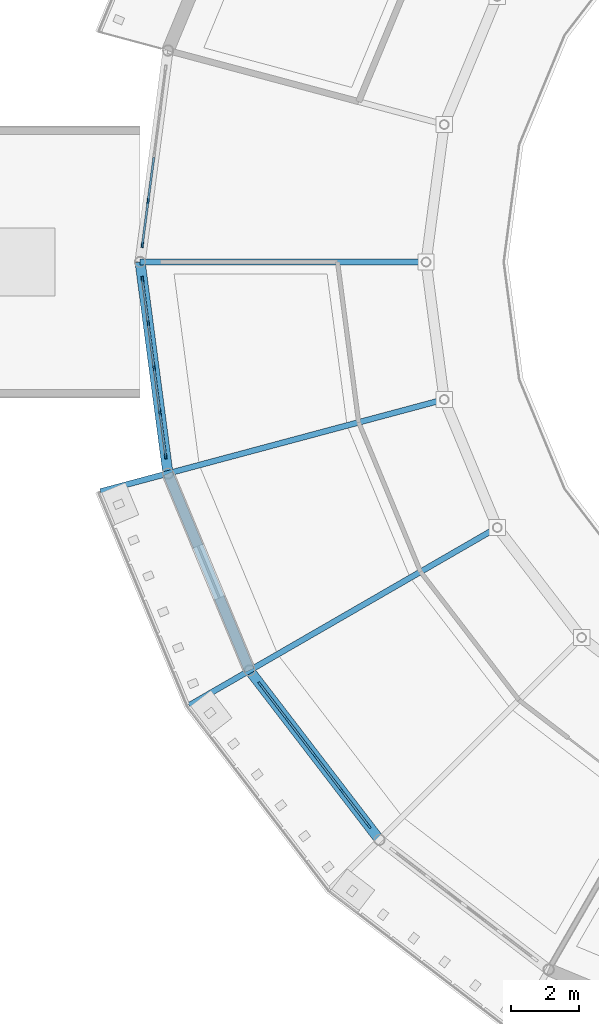
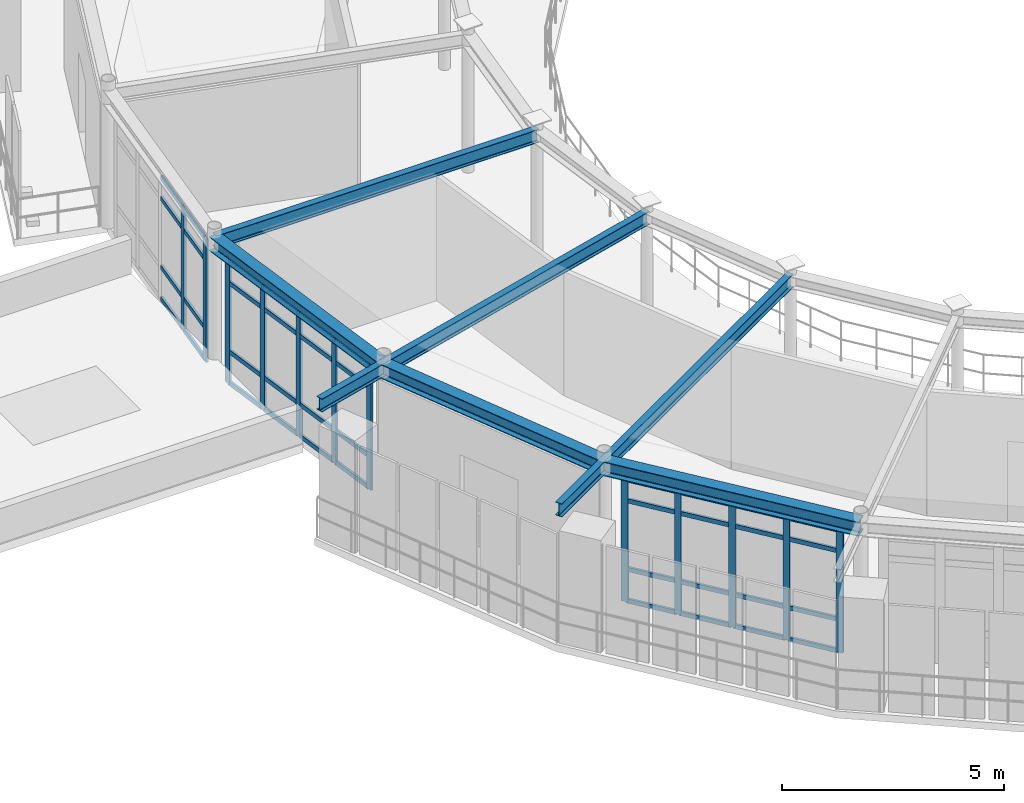
# One storey, part 20 of 70: 52 members, 6 beams, 3 elements without a shape of their own.
"""IFC4 building model written with IfcOpenShell, lengths in metres."""

from ifc_helpers import new_model, si_unit, derived_unit, direction, frame, origin, origin_2d, place, context, subcontext, project, spatial, rectangle, i_section, extrude, material, layer, layer_set, material_profile, profile_set, type_object, element, aggregate, save


model = new_model("IFC4")

# Units and contexts
model_context = context("Model", 3, precision=1e-05, world=origin(), true_north=direction((0.0, 1.0)))
body_context = subcontext(model_context, "Body", "Model", "MODEL_VIEW")
ifc_project = project(units=[si_unit("LENGTHUNIT", "METRE"), si_unit("AREAUNIT", "SQUARE_METRE"), si_unit("VOLUMEUNIT", "CUBIC_METRE"), si_unit("PLANEANGLEUNIT", "RADIAN"), si_unit("MASSUNIT", "GRAM", prefix="KILO"), derived_unit("THERMALTRANSMITTANCEUNIT", [(si_unit("POWERUNIT", "WATT"), 1), (si_unit("AREAUNIT", "SQUARE_METRE"), -1), (si_unit("THERMODYNAMICTEMPERATUREUNIT", "KELVIN"), -1)])], contexts=[model_context])

# Site, building, storey
site_placement = place(None, origin())
site = spatial("IfcSite", under=ifc_project, at=site_placement, CompositionType="ELEMENT")
building_placement = place(site_placement, origin())
building = spatial("IfcBuilding", under=site, at=building_placement, Name="Yasenodar Specialist Clinic", CompositionType="ELEMENT")
storey_placement = place(building_placement, frame((0.0, 0.0, 13.199951171875)))
storey = spatial("IfcBuildingStorey", under=building, at=storey_placement, Name="L03", CompositionType="ELEMENT", Elevation=13.199951171875)

# Beams
ifc_material_1 = material(Name="Steel S355", Category="steel")
ifc_material_profile_1 = material_profile(ifc_material_1, i_section(OverallWidth=0.300048828125, OverallDepth=0.389892578125, WebThickness=0.010986328125, FlangeThickness=0.01904296875, FilletRadius=0.027099609375, at=origin_2d()), Name="HEA 400")
ifc_profile_set_1 = profile_set([ifc_material_profile_1], Name="Steel S355")
beam_type_1 = type_object("IfcBeamType", Name="BM-HEA400", PredefinedType="BEAM", material=ifc_profile_set_1)
beam_1_placement = place(storey_placement, frame((57.0, 58.800048828125, 3.60498046875), z_axis=(0.130540192224, -0.991443018138, 0.0), x_axis=(0.991443018138, 0.130540192224, 0.0)))
element("IfcBeam", 1, at=beam_1_placement, inside=storey, type_object=beam_type_1, Name="L03 Drum V1 Perimeter Ring Beam", PredefinedType="BEAM", context=body_context, shape_type="SweptSolid", body=[
    extrude(i_section(OverallWidth=0.300048828125, OverallDepth=0.389892578125, WebThickness=0.010986328125, FlangeThickness=0.01904296875, FilletRadius=0.027099609375, at=origin_2d()), origin(), (0.0, 0.0, 1.0), 6.265380859375),
])
beam_2_placement = place(storey_placement, frame((57.81787109375, 52.58837890625, 3.60498046875), z_axis=(0.382663829839, -0.9238876519, 0.0), x_axis=(0.9238876519, 0.382663829839, 0.0)))
element("IfcBeam", 2, at=beam_2_placement, inside=storey, type_object=beam_type_1, Name="L03 Drum V1 Perimeter Ring Beam", PredefinedType="BEAM", context=body_context, shape_type="SweptSolid", body=[
    extrude(i_section(OverallWidth=0.300048828125, OverallDepth=0.389892578125, WebThickness=0.010986328125, FlangeThickness=0.01904296875, FilletRadius=0.027099609375, at=origin_2d()), origin(), (0.0, 0.0, 1.0), 6.26513671875),
])
beam_3_placement = place(storey_placement, frame((60.21533203125, 46.800048828125, 3.60498046875), z_axis=(0.608742360322, -0.793367971845, 0.0), x_axis=(0.793367971845, 0.608742360322, 0.0)))
element("IfcBeam", 3, at=beam_3_placement, inside=storey, type_object=beam_type_1, Name="L03 Drum V1 Perimeter Ring Beam", PredefinedType="BEAM", context=body_context, shape_type="SweptSolid", body=[
    extrude(i_section(OverallWidth=0.300048828125, OverallDepth=0.389892578125, WebThickness=0.010986328125, FlangeThickness=0.01904296875, FilletRadius=0.027099609375, at=origin_2d()), origin(), (0.0, 0.0, 1.0), 6.265380859375),
])
ifc_material_profile_2 = material_profile(ifc_material_1, i_section(OverallWidth=0.169921875, OverallDepth=0.360107421875, WebThickness=0.008056640625, FlangeThickness=0.0126953125, FilletRadius=0.01806640625, at=origin_2d()), Name="IPE 360")
ifc_profile_set_2 = profile_set([ifc_material_profile_2], Name="Steel S355")
beam_type_2 = type_object("IfcBeamType", Name="BM-IPE360", PredefinedType="BEAM", material=ifc_profile_set_2)
beam_4_placement = place(storey_placement, frame((65.39990234375, 58.800048828125, 3.6201171875), z_axis=(-1.0, 0.0, 0.0), x_axis=(0.0, -1.0, 0.0)))
element("IfcBeam", 4, at=beam_4_placement, inside=storey, type_object=beam_type_2, Name="L03 Drum V1 Radial Beam", PredefinedType="BEAM", context=body_context, shape_type="SweptSolid", body=[
    extrude(i_section(OverallWidth=0.169921875, OverallDepth=0.360107421875, WebThickness=0.008056640625, FlangeThickness=0.0126953125, FilletRadius=0.01806640625, at=origin_2d()), origin(), (0.0, 0.0, 1.0), 8.39990234375),
])
beam_5_placement = place(storey_placement, frame((65.931640625, 54.762451171875, 3.6201171875), z_axis=(-0.965927925162, -0.258811211874, 0.0), x_axis=(0.258811211874, -0.965927925162, 0.0)))
element("IfcBeam", 5, at=beam_5_placement, inside=storey, type_object=beam_type_2, Name="L03 Drum V1 Radial Back-Spanned Cantilever Beam", PredefinedType="BEAM", context=body_context, shape_type="SweptSolid", body=[
    extrude(i_section(OverallWidth=0.169921875, OverallDepth=0.360107421875, WebThickness=0.008056640625, FlangeThickness=0.0126953125, FilletRadius=0.01806640625, at=origin_2d()), origin(), (0.0, 0.0, 1.0), 10.449951171875),
])
beam_6_placement = place(storey_placement, frame((67.489990234375, 51.0, 3.6201171875), z_axis=(-0.86602335148, -0.500003554679, 0.0), x_axis=(0.500003554679, -0.86602335148, 0.0)))
element("IfcBeam", 6, at=beam_6_placement, inside=storey, type_object=beam_type_2, Name="L03 Drum V1 Radial Back-Spanned Cantilever Beam", PredefinedType="BEAM", context=body_context, shape_type="SweptSolid", body=[
    extrude(i_section(OverallWidth=0.169921875, OverallDepth=0.360107421875, WebThickness=0.008056640625, FlangeThickness=0.0126953125, FilletRadius=0.01806640625, at=origin_2d()), origin(), (0.0, 0.0, 1.0), 10.4501953125),
])

# Curtain wall, members
ifc_material_2 = material(Name="Bronze Anodized Aluminium and Triple Low-E Glass", Category="aluminium")
ifc_layer = layer(ifc_material_2, 0.1669921875)
ifc_layer_set = layer_set([ifc_layer], Name="Bronze Anodized Aluminium and Triple Low-E Glass")
curtain_wall_type = type_object("IfcCurtainWallType", Name="CW-SYS-01", PredefinedType="USERDEFINED", material=ifc_layer_set)
curtain_wall_1_placement = place(storey_placement, origin())
curtain_wall_1 = element("IfcCurtainWall", 7, at=curtain_wall_1_placement, inside=storey, type_object=curtain_wall_type, Name="L03 Unitised Curtain Wall 047", ObjectType="UNITISED CURTAIN WALL", PredefinedType="USERDEFINED")
ifc_material_3 = material(Name="Bronze Anodized Aluminium", Category="aluminium")
ifc_material_profile_3 = material_profile(ifc_material_3, rectangle(XDim=0.06005859375, YDim=0.159912109375, at=origin_2d()), Name="CW-MULL 60x160")
ifc_profile_set_3 = profile_set([ifc_material_profile_3], Name="Bronze Anodized Aluminium")
member_type_1 = type_object("IfcMemberType", Name="CW-MULL-160", PredefinedType="MULLION", material=ifc_profile_set_3)
member_1_placement = place(storey_placement, frame((57.066650390625, 59.3056640625, 0.0), z_axis=(0.0, 0.0, 1.0), x_axis=(-0.991446787601, 0.13051156024, 0.0)))
member_1 = element("IfcMember", 8, at=member_1_placement, type_object=member_type_1, Name="CW-01 mullion 1", PredefinedType="MULLION", context=body_context, shape_type="SweptSolid", body=[
    extrude(rectangle(XDim=0.06005859375, YDim=0.159912109375, at=origin_2d()), origin(), (0.0, 0.0, 1.0), 3.387939453125),
])
member_2_placement = place(storey_placement, frame((57.23583984375, 60.5908203125, 0.0), z_axis=(0.0, 0.0, 1.0), x_axis=(-0.991446787601, 0.13051156024, 0.0)))
member_2 = element("IfcMember", 9, at=member_2_placement, type_object=member_type_1, Name="CW-01 mullion 2", PredefinedType="MULLION", context=body_context, shape_type="SweptSolid", body=[
    extrude(rectangle(XDim=0.06005859375, YDim=0.159912109375, at=origin_2d()), origin(), (0.0, 0.0, 1.0), 3.387939453125),
])

curtain_wall_2_placement = place(storey_placement, origin())
curtain_wall_2 = element("IfcCurtainWall", 10, at=curtain_wall_2_placement, inside=storey, type_object=curtain_wall_type, Name="L03 Unitised Curtain Wall 048", ObjectType="UNITISED CURTAIN WALL", PredefinedType="USERDEFINED")
member_3_placement = place(storey_placement, frame((57.751220703125, 53.093994140625, 0.0), z_axis=(0.0, 0.0, 1.0), x_axis=(-0.991446787601, -0.13051156024, 0.0)))
member_3 = element("IfcMember", 11, at=member_3_placement, type_object=member_type_1, Name="CW-01 mullion 1", PredefinedType="MULLION", context=body_context, shape_type="SweptSolid", body=[
    extrude(rectangle(XDim=0.06005859375, YDim=0.159912109375, at=origin_2d()), origin(), (0.0, 0.0, 1.0), 3.387939453125),
])
member_4_placement = place(storey_placement, frame((57.58203125, 54.379150390625, 0.0), z_axis=(0.0, 0.0, 1.0), x_axis=(-0.991446787601, -0.13051156024, 0.0)))
member_4 = element("IfcMember", 12, at=member_4_placement, type_object=member_type_1, Name="CW-01 mullion 2", PredefinedType="MULLION", context=body_context, shape_type="SweptSolid", body=[
    extrude(rectangle(XDim=0.06005859375, YDim=0.159912109375, at=origin_2d()), origin(), (0.0, 0.0, 1.0), 3.387939453125),
])
member_5_placement = place(storey_placement, frame((57.408935546875, 55.694091796875, 0.0), z_axis=(0.0, 0.0, 1.0), x_axis=(-0.991446787601, -0.13051156024, 0.0)))
member_5 = element("IfcMember", 13, at=member_5_placement, type_object=member_type_1, Name="CW-01 mullion 3", PredefinedType="MULLION", context=body_context, shape_type="SweptSolid", body=[
    extrude(rectangle(XDim=0.06005859375, YDim=0.159912109375, at=origin_2d()), origin(), (0.0, 0.0, 1.0), 3.387939453125),
])
member_6_placement = place(storey_placement, frame((57.23583984375, 57.009033203125, 0.0), z_axis=(0.0, 0.0, 1.0), x_axis=(-0.991446787601, -0.13051156024, 0.0)))
member_6 = element("IfcMember", 14, at=member_6_placement, type_object=member_type_1, Name="CW-01 mullion 4", PredefinedType="MULLION", context=body_context, shape_type="SweptSolid", body=[
    extrude(rectangle(XDim=0.06005859375, YDim=0.159912109375, at=origin_2d()), origin(), (0.0, 0.0, 1.0), 3.387939453125),
])
member_7_placement = place(storey_placement, frame((57.066650390625, 58.29443359375, 0.0), z_axis=(0.0, 0.0, 1.0), x_axis=(-0.991446787601, -0.13051156024, 0.0)))
member_7 = element("IfcMember", 15, at=member_7_placement, type_object=member_type_1, Name="CW-01 mullion 5", PredefinedType="MULLION", context=body_context, shape_type="SweptSolid", body=[
    extrude(rectangle(XDim=0.06005859375, YDim=0.159912109375, at=origin_2d()), origin(), (0.0, 0.0, 1.0), 3.387939453125),
])

curtain_wall_3_placement = place(storey_placement, origin())
curtain_wall_3 = element("IfcCurtainWall", 16, at=curtain_wall_3_placement, inside=storey, type_object=curtain_wall_type, Name="L03 Unitised Curtain Wall 049", ObjectType="UNITISED CURTAIN WALL", PredefinedType="USERDEFINED")
member_8_placement = place(storey_placement, frame((63.718994140625, 42.23388671875, 0.0), z_axis=(0.0, 0.0, 1.0), x_axis=(-0.793360558574, -0.608752021844, 0.0)))
member_8 = element("IfcMember", 17, at=member_8_placement, type_object=member_type_1, Name="CW-01 mullion 1", PredefinedType="MULLION", context=body_context, shape_type="SweptSolid", body=[
    extrude(rectangle(XDim=0.06005859375, YDim=0.159912109375, at=origin_2d()), origin(), (0.0, 0.0, 1.0), 3.387939453125),
])
member_9_placement = place(storey_placement, frame((62.9296875, 43.262451171875, 0.0), z_axis=(0.0, 0.0, 1.0), x_axis=(-0.793360558574, -0.608752021844, 0.0)))
member_9 = element("IfcMember", 18, at=member_9_placement, type_object=member_type_1, Name="CW-01 mullion 2", PredefinedType="MULLION", context=body_context, shape_type="SweptSolid", body=[
    extrude(rectangle(XDim=0.06005859375, YDim=0.159912109375, at=origin_2d()), origin(), (0.0, 0.0, 1.0), 3.387939453125),
])
member_10_placement = place(storey_placement, frame((62.122314453125, 44.314697265625, 0.0), z_axis=(0.0, 0.0, 1.0), x_axis=(-0.793360558574, -0.608752021844, 0.0)))
member_10 = element("IfcMember", 19, at=member_10_placement, type_object=member_type_1, Name="CW-01 mullion 3", PredefinedType="MULLION", context=body_context, shape_type="SweptSolid", body=[
    extrude(rectangle(XDim=0.06005859375, YDim=0.159912109375, at=origin_2d()), origin(), (0.0, 0.0, 1.0), 3.387939453125),
])
member_11_placement = place(storey_placement, frame((61.31494140625, 45.366943359375, 0.0), z_axis=(0.0, 0.0, 1.0), x_axis=(-0.793360558574, -0.608752021844, 0.0)))
member_11 = element("IfcMember", 20, at=member_11_placement, type_object=member_type_1, Name="CW-01 mullion 4", PredefinedType="MULLION", context=body_context, shape_type="SweptSolid", body=[
    extrude(rectangle(XDim=0.06005859375, YDim=0.159912109375, at=origin_2d()), origin(), (0.0, 0.0, 1.0), 3.387939453125),
])
member_12_placement = place(storey_placement, frame((60.52587890625, 46.3955078125, 0.0), z_axis=(0.0, 0.0, 1.0), x_axis=(-0.793360558574, -0.608752021844, 0.0)))
member_12 = element("IfcMember", 21, at=member_12_placement, type_object=member_type_1, Name="CW-01 mullion 5", PredefinedType="MULLION", context=body_context, shape_type="SweptSolid", body=[
    extrude(rectangle(XDim=0.06005859375, YDim=0.159912109375, at=origin_2d()), origin(), (0.0, 0.0, 1.0), 3.387939453125),
])

# Member
ifc_material_profile_4 = material_profile(ifc_material_3, rectangle(XDim=0.06005859375, YDim=0.1201171875, at=origin_2d()), Name="CW-TRAN 60x120")
ifc_profile_set_4 = profile_set([ifc_material_profile_4], Name="Bronze Anodized Aluminium")
member_type_2 = type_object("IfcMemberType", Name="CW-TRAN-120", PredefinedType="USERDEFINED", material=ifc_profile_set_4)
member_13_placement = place(storey_placement, frame((57.070556640625, 59.33544921875, 0.030029296875), z_axis=(0.130546471803, 0.991442191305, 0.0), x_axis=(-0.991442191305, 0.130546471803, 0.0)))
member_13 = element("IfcMember", 22, at=member_13_placement, type_object=member_type_2, Name="CW-01 transom 1.1", ObjectType="TRANSOM", PredefinedType="USERDEFINED", context=body_context, shape_type="SweptSolid", body=[
    extrude(rectangle(XDim=0.06005859375, YDim=0.1201171875, at=origin_2d()), origin(), (0.0, 0.0, 1.0), 1.236083984375),
])

member_14_placement = place(storey_placement, frame((57.070556640625, 59.33544921875, 0.900146484375), z_axis=(0.130546471803, 0.991442191305, 0.0), x_axis=(-0.991442191305, 0.130546471803, 0.0)))
member_14 = element("IfcMember", 23, at=member_14_placement, type_object=member_type_2, Name="CW-01 transom 1.2", ObjectType="TRANSOM", PredefinedType="USERDEFINED", context=body_context, shape_type="SweptSolid", body=[
    extrude(rectangle(XDim=0.06005859375, YDim=0.1201171875, at=origin_2d()), origin(), (0.0, 0.0, 1.0), 1.236083984375),
])

member_15_placement = place(storey_placement, frame((57.070556640625, 59.33544921875, 2.7880859375), z_axis=(0.130546471803, 0.991442191305, 0.0), x_axis=(-0.991442191305, 0.130546471803, 0.0)))
member_15 = element("IfcMember", 24, at=member_15_placement, type_object=member_type_2, Name="CW-01 transom 1.3", ObjectType="TRANSOM", PredefinedType="USERDEFINED", context=body_context, shape_type="SweptSolid", body=[
    extrude(rectangle(XDim=0.06005859375, YDim=0.1201171875, at=origin_2d()), origin(), (0.0, 0.0, 1.0), 1.236083984375),
])

member_16_placement = place(storey_placement, frame((57.070556640625, 59.33544921875, 3.358154296875), z_axis=(0.130546471803, 0.991442191305, 0.0), x_axis=(-0.991442191305, 0.130546471803, 0.0)))
member_16 = element("IfcMember", 25, at=member_16_placement, type_object=member_type_2, Name="CW-01 transom 1.4", ObjectType="TRANSOM", PredefinedType="USERDEFINED", context=body_context, shape_type="SweptSolid", body=[
    extrude(rectangle(XDim=0.06005859375, YDim=0.1201171875, at=origin_2d()), origin(), (0.0, 0.0, 1.0), 1.236083984375),
])

member_17_placement = place(storey_placement, frame((57.23974609375, 60.62060546875, 0.030029296875), z_axis=(0.13050936627, 0.991447076407, 0.0), x_axis=(-0.991447076407, 0.13050936627, 0.0)))
member_17 = element("IfcMember", 26, at=member_17_placement, type_object=member_type_2, Name="CW-01 transom 2.1", ObjectType="TRANSOM", PredefinedType="USERDEFINED", context=body_context, shape_type="SweptSolid", body=[
    extrude(rectangle(XDim=0.06005859375, YDim=0.1201171875, at=origin_2d()), origin(), (0.0, 0.0, 1.0), 1.266357421875),
])

member_18_placement = place(storey_placement, frame((57.23974609375, 60.62060546875, 0.900146484375), z_axis=(0.13050936627, 0.991447076407, 0.0), x_axis=(-0.991447076407, 0.13050936627, 0.0)))
member_18 = element("IfcMember", 27, at=member_18_placement, type_object=member_type_2, Name="CW-01 transom 2.2", ObjectType="TRANSOM", PredefinedType="USERDEFINED", context=body_context, shape_type="SweptSolid", body=[
    extrude(rectangle(XDim=0.06005859375, YDim=0.1201171875, at=origin_2d()), origin(), (0.0, 0.0, 1.0), 1.266357421875),
])

member_19_placement = place(storey_placement, frame((57.23974609375, 60.62060546875, 2.7880859375), z_axis=(0.13050936627, 0.991447076407, 0.0), x_axis=(-0.991447076407, 0.13050936627, 0.0)))
member_19 = element("IfcMember", 28, at=member_19_placement, type_object=member_type_2, Name="CW-01 transom 2.3", ObjectType="TRANSOM", PredefinedType="USERDEFINED", context=body_context, shape_type="SweptSolid", body=[
    extrude(rectangle(XDim=0.06005859375, YDim=0.1201171875, at=origin_2d()), origin(), (0.0, 0.0, 1.0), 1.266357421875),
])

member_20_placement = place(storey_placement, frame((57.23974609375, 60.62060546875, 3.358154296875), z_axis=(0.13050936627, 0.991447076407, 0.0), x_axis=(-0.991447076407, 0.13050936627, 0.0)))
member_20 = element("IfcMember", 29, at=member_20_placement, type_object=member_type_2, Name="CW-01 transom 2.4", ObjectType="TRANSOM", PredefinedType="USERDEFINED", context=body_context, shape_type="SweptSolid", body=[
    extrude(rectangle(XDim=0.06005859375, YDim=0.1201171875, at=origin_2d()), origin(), (0.0, 0.0, 1.0), 1.266357421875),
])

aggregate(curtain_wall_1, [member_1, member_2, member_13, member_14, member_15, member_16, member_17, member_18, member_19, member_20])

member_21_placement = place(storey_placement, frame((57.747314453125, 53.123779296875, 0.030029296875), z_axis=(-0.130546471803, 0.991442191305, 0.0), x_axis=(-0.991442191305, -0.130546471803, 0.0)))
member_21 = element("IfcMember", 30, at=member_21_placement, type_object=member_type_2, Name="CW-01 transom 1.1", ObjectType="TRANSOM", PredefinedType="USERDEFINED", context=body_context, shape_type="SweptSolid", body=[
    extrude(rectangle(XDim=0.06005859375, YDim=0.1201171875, at=origin_2d()), origin(), (0.0, 0.0, 1.0), 1.236083984375),
])

member_22_placement = place(storey_placement, frame((57.747314453125, 53.123779296875, 0.900146484375), z_axis=(-0.130546471803, 0.991442191305, 0.0), x_axis=(-0.991442191305, -0.130546471803, 0.0)))
member_22 = element("IfcMember", 31, at=member_22_placement, type_object=member_type_2, Name="CW-01 transom 1.2", ObjectType="TRANSOM", PredefinedType="USERDEFINED", context=body_context, shape_type="SweptSolid", body=[
    extrude(rectangle(XDim=0.06005859375, YDim=0.1201171875, at=origin_2d()), origin(), (0.0, 0.0, 1.0), 1.236083984375),
])

member_23_placement = place(storey_placement, frame((57.747314453125, 53.123779296875, 2.7880859375), z_axis=(-0.130546471803, 0.991442191305, 0.0), x_axis=(-0.991442191305, -0.130546471803, 0.0)))
member_23 = element("IfcMember", 32, at=member_23_placement, type_object=member_type_2, Name="CW-01 transom 1.3", ObjectType="TRANSOM", PredefinedType="USERDEFINED", context=body_context, shape_type="SweptSolid", body=[
    extrude(rectangle(XDim=0.06005859375, YDim=0.1201171875, at=origin_2d()), origin(), (0.0, 0.0, 1.0), 1.236083984375),
])

member_24_placement = place(storey_placement, frame((57.747314453125, 53.123779296875, 3.358154296875), z_axis=(-0.130546471803, 0.991442191305, 0.0), x_axis=(-0.991442191305, -0.130546471803, 0.0)))
member_24 = element("IfcMember", 33, at=member_24_placement, type_object=member_type_2, Name="CW-01 transom 1.4", ObjectType="TRANSOM", PredefinedType="USERDEFINED", context=body_context, shape_type="SweptSolid", body=[
    extrude(rectangle(XDim=0.06005859375, YDim=0.1201171875, at=origin_2d()), origin(), (0.0, 0.0, 1.0), 1.236083984375),
])

member_25_placement = place(storey_placement, frame((57.578125, 54.408935546875, 0.030029296875), z_axis=(-0.13053431489, 0.99144379197, 0.0), x_axis=(-0.99144379197, -0.13053431489, 0.0)))
member_25 = element("IfcMember", 34, at=member_25_placement, type_object=member_type_2, Name="CW-01 transom 2.1", ObjectType="TRANSOM", PredefinedType="USERDEFINED", context=body_context, shape_type="SweptSolid", body=[
    extrude(rectangle(XDim=0.06005859375, YDim=0.1201171875, at=origin_2d()), origin(), (0.0, 0.0, 1.0), 1.26611328125),
])

member_26_placement = place(storey_placement, frame((57.578125, 54.408935546875, 0.900146484375), z_axis=(-0.13053431489, 0.99144379197, 0.0), x_axis=(-0.99144379197, -0.13053431489, 0.0)))
member_26 = element("IfcMember", 35, at=member_26_placement, type_object=member_type_2, Name="CW-01 transom 2.2", ObjectType="TRANSOM", PredefinedType="USERDEFINED", context=body_context, shape_type="SweptSolid", body=[
    extrude(rectangle(XDim=0.06005859375, YDim=0.1201171875, at=origin_2d()), origin(), (0.0, 0.0, 1.0), 1.26611328125),
])

member_27_placement = place(storey_placement, frame((57.578125, 54.408935546875, 2.7880859375), z_axis=(-0.13053431489, 0.99144379197, 0.0), x_axis=(-0.99144379197, -0.13053431489, 0.0)))
member_27 = element("IfcMember", 36, at=member_27_placement, type_object=member_type_2, Name="CW-01 transom 2.3", ObjectType="TRANSOM", PredefinedType="USERDEFINED", context=body_context, shape_type="SweptSolid", body=[
    extrude(rectangle(XDim=0.06005859375, YDim=0.1201171875, at=origin_2d()), origin(), (0.0, 0.0, 1.0), 1.26611328125),
])

member_28_placement = place(storey_placement, frame((57.578125, 54.408935546875, 3.358154296875), z_axis=(-0.13053431489, 0.99144379197, 0.0), x_axis=(-0.99144379197, -0.13053431489, 0.0)))
member_28 = element("IfcMember", 37, at=member_28_placement, type_object=member_type_2, Name="CW-01 transom 2.4", ObjectType="TRANSOM", PredefinedType="USERDEFINED", context=body_context, shape_type="SweptSolid", body=[
    extrude(rectangle(XDim=0.06005859375, YDim=0.1201171875, at=origin_2d()), origin(), (0.0, 0.0, 1.0), 1.26611328125),
])

member_29_placement = place(storey_placement, frame((57.405029296875, 55.723876953125, 0.030029296875), z_axis=(-0.13050936627, 0.991447076407, 0.0), x_axis=(-0.991447076407, -0.13050936627, 0.0)))
member_29 = element("IfcMember", 38, at=member_29_placement, type_object=member_type_2, Name="CW-01 transom 3.1", ObjectType="TRANSOM", PredefinedType="USERDEFINED", context=body_context, shape_type="SweptSolid", body=[
    extrude(rectangle(XDim=0.06005859375, YDim=0.1201171875, at=origin_2d()), origin(), (0.0, 0.0, 1.0), 1.266357421875),
])

member_30_placement = place(storey_placement, frame((57.405029296875, 55.723876953125, 0.900146484375), z_axis=(-0.13050936627, 0.991447076407, 0.0), x_axis=(-0.991447076407, -0.13050936627, 0.0)))
member_30 = element("IfcMember", 39, at=member_30_placement, type_object=member_type_2, Name="CW-01 transom 3.2", ObjectType="TRANSOM", PredefinedType="USERDEFINED", context=body_context, shape_type="SweptSolid", body=[
    extrude(rectangle(XDim=0.06005859375, YDim=0.1201171875, at=origin_2d()), origin(), (0.0, 0.0, 1.0), 1.266357421875),
])

member_31_placement = place(storey_placement, frame((57.405029296875, 55.723876953125, 2.7880859375), z_axis=(-0.13050936627, 0.991447076407, 0.0), x_axis=(-0.991447076407, -0.13050936627, 0.0)))
member_31 = element("IfcMember", 40, at=member_31_placement, type_object=member_type_2, Name="CW-01 transom 3.3", ObjectType="TRANSOM", PredefinedType="USERDEFINED", context=body_context, shape_type="SweptSolid", body=[
    extrude(rectangle(XDim=0.06005859375, YDim=0.1201171875, at=origin_2d()), origin(), (0.0, 0.0, 1.0), 1.266357421875),
])

member_32_placement = place(storey_placement, frame((57.405029296875, 55.723876953125, 3.358154296875), z_axis=(-0.13050936627, 0.991447076407, 0.0), x_axis=(-0.991447076407, -0.13050936627, 0.0)))
member_32 = element("IfcMember", 41, at=member_32_placement, type_object=member_type_2, Name="CW-01 transom 3.4", ObjectType="TRANSOM", PredefinedType="USERDEFINED", context=body_context, shape_type="SweptSolid", body=[
    extrude(rectangle(XDim=0.06005859375, YDim=0.1201171875, at=origin_2d()), origin(), (0.0, 0.0, 1.0), 1.266357421875),
])

member_33_placement = place(storey_placement, frame((57.23193359375, 57.038818359375, 0.030029296875), z_axis=(-0.130520914683, 0.99144555616, 0.0), x_axis=(-0.99144555616, -0.130520914683, 0.0)))
member_33 = element("IfcMember", 42, at=member_33_placement, type_object=member_type_2, Name="CW-01 transom 4.1", ObjectType="TRANSOM", PredefinedType="USERDEFINED", context=body_context, shape_type="SweptSolid", body=[
    extrude(rectangle(XDim=0.06005859375, YDim=0.1201171875, at=origin_2d()), origin(), (0.0, 0.0, 1.0), 1.236328125),
])

member_34_placement = place(storey_placement, frame((57.23193359375, 57.038818359375, 0.900146484375), z_axis=(-0.130520914683, 0.99144555616, 0.0), x_axis=(-0.99144555616, -0.130520914683, 0.0)))
member_34 = element("IfcMember", 43, at=member_34_placement, type_object=member_type_2, Name="CW-01 transom 4.2", ObjectType="TRANSOM", PredefinedType="USERDEFINED", context=body_context, shape_type="SweptSolid", body=[
    extrude(rectangle(XDim=0.06005859375, YDim=0.1201171875, at=origin_2d()), origin(), (0.0, 0.0, 1.0), 1.236328125),
])

member_35_placement = place(storey_placement, frame((57.23193359375, 57.038818359375, 2.7880859375), z_axis=(-0.130520914683, 0.99144555616, 0.0), x_axis=(-0.99144555616, -0.130520914683, 0.0)))
member_35 = element("IfcMember", 44, at=member_35_placement, type_object=member_type_2, Name="CW-01 transom 4.3", ObjectType="TRANSOM", PredefinedType="USERDEFINED", context=body_context, shape_type="SweptSolid", body=[
    extrude(rectangle(XDim=0.06005859375, YDim=0.1201171875, at=origin_2d()), origin(), (0.0, 0.0, 1.0), 1.236328125),
])

member_36_placement = place(storey_placement, frame((57.23193359375, 57.038818359375, 3.358154296875), z_axis=(-0.130520914683, 0.99144555616, 0.0), x_axis=(-0.99144555616, -0.130520914683, 0.0)))
member_36 = element("IfcMember", 45, at=member_36_placement, type_object=member_type_2, Name="CW-01 transom 4.4", ObjectType="TRANSOM", PredefinedType="USERDEFINED", context=body_context, shape_type="SweptSolid", body=[
    extrude(rectangle(XDim=0.06005859375, YDim=0.1201171875, at=origin_2d()), origin(), (0.0, 0.0, 1.0), 1.236328125),
])

aggregate(curtain_wall_2, [member_3, member_4, member_5, member_6, member_7, member_21, member_22, member_23, member_24, member_25, member_26, member_27, member_28, member_29, member_30, member_31, member_32, member_33, member_34, member_35, member_36])

member_37_placement = place(storey_placement, frame((63.70068359375, 42.2578125, 0.030029296875), z_axis=(-0.608746535642, 0.793364768151, 0.0), x_axis=(-0.793364768151, -0.608746535642, 0.0)))
member_37 = element("IfcMember", 46, at=member_37_placement, type_object=member_type_2, Name="CW-01 transom 1.1", ObjectType="TRANSOM", PredefinedType="USERDEFINED", context=body_context, shape_type="SweptSolid", body=[
    extrude(rectangle(XDim=0.06005859375, YDim=0.1201171875, at=origin_2d()), origin(), (0.0, 0.0, 1.0), 1.236572265625),
])

member_38_placement = place(storey_placement, frame((63.70068359375, 42.2578125, 0.900146484375), z_axis=(-0.608746535642, 0.793364768151, 0.0), x_axis=(-0.793364768151, -0.608746535642, 0.0)))
member_38 = element("IfcMember", 47, at=member_38_placement, type_object=member_type_2, Name="CW-01 transom 1.2", ObjectType="TRANSOM", PredefinedType="USERDEFINED", context=body_context, shape_type="SweptSolid", body=[
    extrude(rectangle(XDim=0.06005859375, YDim=0.1201171875, at=origin_2d()), origin(), (0.0, 0.0, 1.0), 1.236572265625),
])

member_39_placement = place(storey_placement, frame((63.70068359375, 42.2578125, 2.7880859375), z_axis=(-0.608746535642, 0.793364768151, 0.0), x_axis=(-0.793364768151, -0.608746535642, 0.0)))
member_39 = element("IfcMember", 48, at=member_39_placement, type_object=member_type_2, Name="CW-01 transom 1.3", ObjectType="TRANSOM", PredefinedType="USERDEFINED", context=body_context, shape_type="SweptSolid", body=[
    extrude(rectangle(XDim=0.06005859375, YDim=0.1201171875, at=origin_2d()), origin(), (0.0, 0.0, 1.0), 1.236572265625),
])

member_40_placement = place(storey_placement, frame((63.70068359375, 42.2578125, 3.358154296875), z_axis=(-0.608746535642, 0.793364768151, 0.0), x_axis=(-0.793364768151, -0.608746535642, 0.0)))
member_40 = element("IfcMember", 49, at=member_40_placement, type_object=member_type_2, Name="CW-01 transom 1.4", ObjectType="TRANSOM", PredefinedType="USERDEFINED", context=body_context, shape_type="SweptSolid", body=[
    extrude(rectangle(XDim=0.06005859375, YDim=0.1201171875, at=origin_2d()), origin(), (0.0, 0.0, 1.0), 1.236572265625),
])

member_41_placement = place(storey_placement, frame((62.91162109375, 43.2861328125, 0.030029296875), z_axis=(-0.608722862036, 0.793382932281, 0.0), x_axis=(-0.793382932281, -0.608722862036, 0.0)))
member_41 = element("IfcMember", 50, at=member_41_placement, type_object=member_type_2, Name="CW-01 transom 2.1", ObjectType="TRANSOM", PredefinedType="USERDEFINED", context=body_context, shape_type="SweptSolid", body=[
    extrude(rectangle(XDim=0.06005859375, YDim=0.1201171875, at=origin_2d()), origin(), (0.0, 0.0, 1.0), 1.2666015625),
])

member_42_placement = place(storey_placement, frame((62.91162109375, 43.2861328125, 0.900146484375), z_axis=(-0.608722862036, 0.793382932281, 0.0), x_axis=(-0.793382932281, -0.608722862036, 0.0)))
member_42 = element("IfcMember", 51, at=member_42_placement, type_object=member_type_2, Name="CW-01 transom 2.2", ObjectType="TRANSOM", PredefinedType="USERDEFINED", context=body_context, shape_type="SweptSolid", body=[
    extrude(rectangle(XDim=0.06005859375, YDim=0.1201171875, at=origin_2d()), origin(), (0.0, 0.0, 1.0), 1.2666015625),
])

member_43_placement = place(storey_placement, frame((62.91162109375, 43.2861328125, 2.7880859375), z_axis=(-0.608722862036, 0.793382932281, 0.0), x_axis=(-0.793382932281, -0.608722862036, 0.0)))
member_43 = element("IfcMember", 52, at=member_43_placement, type_object=member_type_2, Name="CW-01 transom 2.3", ObjectType="TRANSOM", PredefinedType="USERDEFINED", context=body_context, shape_type="SweptSolid", body=[
    extrude(rectangle(XDim=0.06005859375, YDim=0.1201171875, at=origin_2d()), origin(), (0.0, 0.0, 1.0), 1.2666015625),
])

member_44_placement = place(storey_placement, frame((62.91162109375, 43.2861328125, 3.358154296875), z_axis=(-0.608722862036, 0.793382932281, 0.0), x_axis=(-0.793382932281, -0.608722862036, 0.0)))
member_44 = element("IfcMember", 53, at=member_44_placement, type_object=member_type_2, Name="CW-01 transom 2.4", ObjectType="TRANSOM", PredefinedType="USERDEFINED", context=body_context, shape_type="SweptSolid", body=[
    extrude(rectangle(XDim=0.06005859375, YDim=0.1201171875, at=origin_2d()), origin(), (0.0, 0.0, 1.0), 1.2666015625),
])

member_45_placement = place(storey_placement, frame((62.104248046875, 44.33837890625, 0.030029296875), z_axis=(-0.608722862036, 0.793382932281, 0.0), x_axis=(-0.793382932281, -0.608722862036, 0.0)))
member_45 = element("IfcMember", 54, at=member_45_placement, type_object=member_type_2, Name="CW-01 transom 3.1", ObjectType="TRANSOM", PredefinedType="USERDEFINED", context=body_context, shape_type="SweptSolid", body=[
    extrude(rectangle(XDim=0.06005859375, YDim=0.1201171875, at=origin_2d()), origin(), (0.0, 0.0, 1.0), 1.2666015625),
])

member_46_placement = place(storey_placement, frame((62.104248046875, 44.33837890625, 0.900146484375), z_axis=(-0.608722862036, 0.793382932281, 0.0), x_axis=(-0.793382932281, -0.608722862036, 0.0)))
member_46 = element("IfcMember", 55, at=member_46_placement, type_object=member_type_2, Name="CW-01 transom 3.2", ObjectType="TRANSOM", PredefinedType="USERDEFINED", context=body_context, shape_type="SweptSolid", body=[
    extrude(rectangle(XDim=0.06005859375, YDim=0.1201171875, at=origin_2d()), origin(), (0.0, 0.0, 1.0), 1.2666015625),
])

member_47_placement = place(storey_placement, frame((62.104248046875, 44.33837890625, 2.7880859375), z_axis=(-0.608722862036, 0.793382932281, 0.0), x_axis=(-0.793382932281, -0.608722862036, 0.0)))
member_47 = element("IfcMember", 56, at=member_47_placement, type_object=member_type_2, Name="CW-01 transom 3.3", ObjectType="TRANSOM", PredefinedType="USERDEFINED", context=body_context, shape_type="SweptSolid", body=[
    extrude(rectangle(XDim=0.06005859375, YDim=0.1201171875, at=origin_2d()), origin(), (0.0, 0.0, 1.0), 1.2666015625),
])

member_48_placement = place(storey_placement, frame((62.104248046875, 44.33837890625, 3.358154296875), z_axis=(-0.608722862036, 0.793382932281, 0.0), x_axis=(-0.793382932281, -0.608722862036, 0.0)))
member_48 = element("IfcMember", 57, at=member_48_placement, type_object=member_type_2, Name="CW-01 transom 3.4", ObjectType="TRANSOM", PredefinedType="USERDEFINED", context=body_context, shape_type="SweptSolid", body=[
    extrude(rectangle(XDim=0.06005859375, YDim=0.1201171875, at=origin_2d()), origin(), (0.0, 0.0, 1.0), 1.2666015625),
])

member_49_placement = place(storey_placement, frame((61.296630859375, 45.390869140625, 0.030029296875), z_axis=(-0.608717606417, 0.793386964626, 0.0), x_axis=(-0.793386964626, -0.608717606417, 0.0)))
member_49 = element("IfcMember", 58, at=member_49_placement, type_object=member_type_2, Name="CW-01 transom 4.1", ObjectType="TRANSOM", PredefinedType="USERDEFINED", context=body_context, shape_type="SweptSolid", body=[
    extrude(rectangle(XDim=0.06005859375, YDim=0.1201171875, at=origin_2d()), origin(), (0.0, 0.0, 1.0), 1.236083984375),
])

member_50_placement = place(storey_placement, frame((61.296630859375, 45.390869140625, 0.900146484375), z_axis=(-0.608717606417, 0.793386964626, 0.0), x_axis=(-0.793386964626, -0.608717606417, 0.0)))
member_50 = element("IfcMember", 59, at=member_50_placement, type_object=member_type_2, Name="CW-01 transom 4.2", ObjectType="TRANSOM", PredefinedType="USERDEFINED", context=body_context, shape_type="SweptSolid", body=[
    extrude(rectangle(XDim=0.06005859375, YDim=0.1201171875, at=origin_2d()), origin(), (0.0, 0.0, 1.0), 1.236083984375),
])

member_51_placement = place(storey_placement, frame((61.296630859375, 45.390869140625, 2.7880859375), z_axis=(-0.608717606417, 0.793386964626, 0.0), x_axis=(-0.793386964626, -0.608717606417, 0.0)))
member_51 = element("IfcMember", 60, at=member_51_placement, type_object=member_type_2, Name="CW-01 transom 4.3", ObjectType="TRANSOM", PredefinedType="USERDEFINED", context=body_context, shape_type="SweptSolid", body=[
    extrude(rectangle(XDim=0.06005859375, YDim=0.1201171875, at=origin_2d()), origin(), (0.0, 0.0, 1.0), 1.236083984375),
])

member_52_placement = place(storey_placement, frame((61.296630859375, 45.390869140625, 3.358154296875), z_axis=(-0.608717606417, 0.793386964626, 0.0), x_axis=(-0.793386964626, -0.608717606417, 0.0)))
member_52 = element("IfcMember", 61, at=member_52_placement, type_object=member_type_2, Name="CW-01 transom 4.4", ObjectType="TRANSOM", PredefinedType="USERDEFINED", context=body_context, shape_type="SweptSolid", body=[
    extrude(rectangle(XDim=0.06005859375, YDim=0.1201171875, at=origin_2d()), origin(), (0.0, 0.0, 1.0), 1.236083984375),
])

aggregate(curtain_wall_3, [member_8, member_9, member_10, member_11, member_12, member_37, member_38, member_39, member_40, member_41, member_42, member_43, member_44, member_45, member_46, member_47, member_48, member_49, member_50, member_51, member_52])

save(model, "model.ifc")
